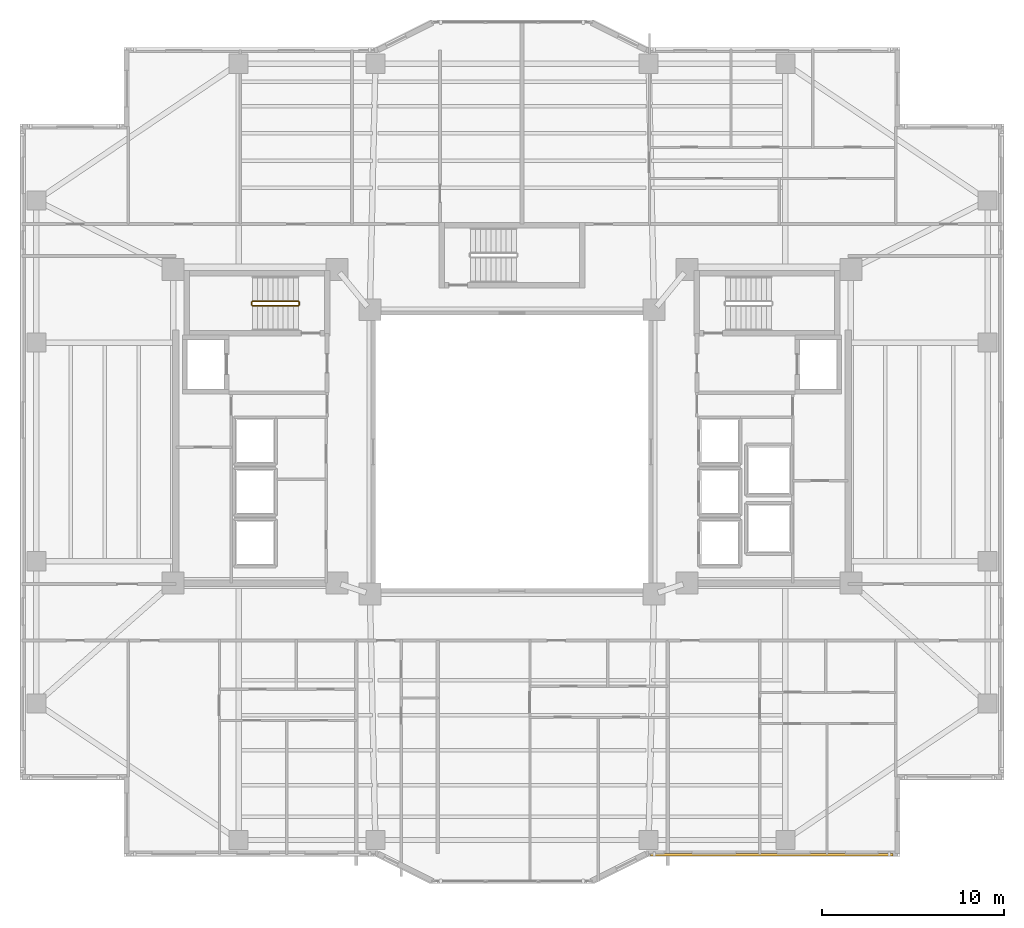
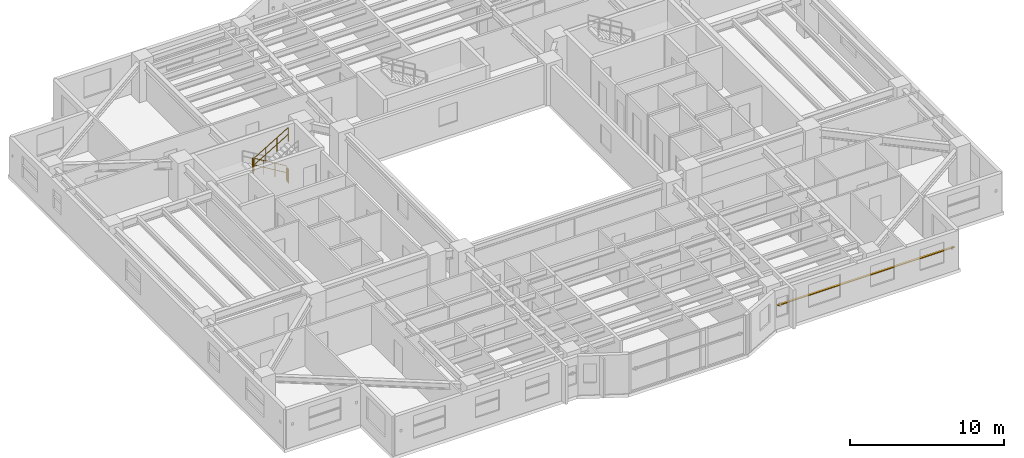
# One storey, part 15 of 18: 4 railings, 1 shading device.
"""IFC4 building model written with IfcOpenShell, lengths in metres."""

import ifcopenshell
import ifcopenshell.guid

model = None  # the IFC model being written
_history = None  # IfcOwnerHistory: only IFC2X3 demands one
_inside = {}  # id of a spatial element -> (the spatial element, [elements in it])
_under = {}  # id of a project, library or spatial element -> (it, [spatial elements below it])
_declared = {}  # id of a project -> (the project, [libraries it declares])
_typed = {}  # id of a type object -> (the type object, [elements of that type])
_made_of = {}  # id of a material, layer set ... -> (it, [elements and type objects made of it])


def new_model(schema):
    """Start an empty IFC model of exactly this schema.

    Asked for "IFC4X3", IfcOpenShell would pick the latest addendum, in which some entities
    have other attributes; the version numbers below select the first issue.
    IFC2X3 requires an IfcOwnerHistory on every rooted entity: one is made here for all.
    """
    global model, _history
    if schema == "IFC4X3":
        model = ifcopenshell.file(schema_version=(4, 3, 0, 0))
    else:
        model = ifcopenshell.file(schema=schema)
    _inside.clear()
    _under.clear()
    _declared.clear()
    _typed.clear()
    _made_of.clear()
    _history = None
    if model.schema == "IFC2X3":
        org = make("IfcOrganization", Name="unknown")
        user = make(
            "IfcPersonAndOrganization",
            ThePerson=make("IfcPerson", FamilyName="unknown"),
            TheOrganization=org,
        )
        app = make(
            "IfcApplication",
            ApplicationDeveloper=org,
            Version="unknown",
            ApplicationFullName="unknown",
            ApplicationIdentifier="unknown",
        )
        _history = make(
            "IfcOwnerHistory",
            OwningUser=user,
            OwningApplication=app,
            ChangeAction="ADDED",
            CreationDate=0,
        )
    return model


def make(cls, **values):
    """One entity of the class cls with the attributes given. An attribute that is None is left unset."""
    return model.create_entity(
        cls, **{name: value for name, value in values.items() if value is not None}
    )


def rooted(cls, **values):
    """An entity with a GlobalId (a new one), such as an element, a storey or a relation."""
    return make(cls, GlobalId=ifcopenshell.guid.new(), OwnerHistory=_history, **values)


def si_unit(unit_type, name, prefix=None):
    """IfcSIUnit, for example si_unit("LENGTHUNIT", "METRE", prefix="MILLI")."""
    return make("IfcSIUnit", UnitType=unit_type, Prefix=prefix, Name=name)


def assignment(units):
    """IfcUnitAssignment: the units of a project."""
    return None if units is None else make("IfcUnitAssignment", Units=units)


def point(xyz):
    """IfcCartesianPoint."""
    return None if xyz is None else make("IfcCartesianPoint", Coordinates=xyz)


def direction(xyz):
    """IfcDirection."""
    return None if xyz is None else make("IfcDirection", DirectionRatios=xyz)


def frame(location, z_axis=None, x_axis=None):
    """IfcAxis2Placement3D, a coordinate frame: its origin and axes. An axis left out is left unset."""
    return make(
        "IfcAxis2Placement3D",
        Location=point(location),
        Axis=direction(z_axis),
        RefDirection=direction(x_axis),
    )


def frame_2d(location, x_axis=None):
    """IfcAxis2Placement2D, a coordinate frame in the plane: its origin and x axis."""
    return make(
        "IfcAxis2Placement2D", Location=point(location), RefDirection=direction(x_axis)
    )


def origin():
    """The frame at (0, 0, 0) with its axes left unset."""
    return frame((0.0, 0.0, 0.0))


def origin_2d():
    """The frame at (0, 0) in the plane with its x axis left unset."""
    return frame_2d((0.0, 0.0))


def place(relative_to, where):
    """IfcLocalPlacement: puts the frame where relative to a parent placement (None: the world)."""
    return make(
        "IfcLocalPlacement", PlacementRelTo=relative_to, RelativePlacement=where
    )


def context(
    kind, dimensions, precision=None, world=None, true_north=None, identifier=None
):
    """IfcGeometricRepresentationContext, for example the 3D "Model" context."""
    return make(
        "IfcGeometricRepresentationContext",
        ContextIdentifier=identifier,
        ContextType=kind,
        CoordinateSpaceDimension=dimensions,
        Precision=precision,
        WorldCoordinateSystem=world,
        TrueNorth=true_north,
    )


def subcontext(parent, identifier, kind, view, scale=None):
    """IfcGeometricRepresentationSubContext, for example "Body" below "Model"."""
    return make(
        "IfcGeometricRepresentationSubContext",
        ContextIdentifier=identifier,
        ContextType=kind,
        ParentContext=parent,
        TargetScale=scale,
        TargetView=view,
    )


def project(units=None, contexts=None):
    """IfcProject with its units and contexts."""
    return rooted(
        "IfcProject",
        Name="project",
        RepresentationContexts=contexts,
        UnitsInContext=assignment(units),
    )


def spatial(cls, under=None, at=None, **own):
    """A site, building, storey or space (cls), placed at a placement, below another one or the project."""
    s = rooted(cls, ObjectPlacement=at, **own)
    if under is not None:
        _under.setdefault(under.id(), (under, []))[1].append(s)
    return s


def profile(cls, at=None, kind="AREA", **sizes):
    """A parametric profile (cls). Its sizes go by their IFC names, for example OverallWidth=200.0."""
    return make(cls, ProfileType=kind, Position=at, **sizes)


def rectangle(**sizes):
    """IfcRectangleProfileDef."""
    return profile("IfcRectangleProfileDef", **sizes)


def circle(**sizes):
    """IfcCircleProfileDef."""
    return profile("IfcCircleProfileDef", **sizes)


def extrude(swept, where, along, depth):
    """IfcExtrudedAreaSolid: the profile swept, set in the frame where, extruded along a direction by depth."""
    return make(
        "IfcExtrudedAreaSolid",
        SweptArea=swept,
        Position=where,
        ExtrudedDirection=direction(along),
        Depth=depth,
    )


def shape(context_of_items, identifier, shape_type, items):
    """IfcShapeRepresentation: the items that make up one representation, for example the "Body"."""
    return make(
        "IfcShapeRepresentation",
        ContextOfItems=context_of_items,
        RepresentationIdentifier=identifier,
        RepresentationType=shape_type,
        Items=items,
    )


def material(Name=None, Category=None):
    """IfcMaterial."""
    return make("IfcMaterial", Name=Name, Category=Category)


def material_profile(
    of_material, cross_section, Name=None, Category=None, Priority=None
):
    """IfcMaterialProfile: a cross section and its material."""
    return make(
        "IfcMaterialProfile",
        Name=Name,
        Material=of_material,
        Profile=cross_section,
        Priority=Priority,
        Category=Category,
    )


def profile_set(profiles, Name=None, composite=None):
    """IfcMaterialProfileSet."""
    return make(
        "IfcMaterialProfileSet",
        Name=Name,
        MaterialProfiles=profiles,
        CompositeProfile=composite,
    )


def made_of(thing, what):
    """Note that an element or type object is made of a material, layer set ...; save() writes the relation."""
    if what is not None:
        _made_of.setdefault(what.id(), (what, []))[1].append(thing)
    return thing


def type_object(cls, material=None, **own):
    """A type object (cls), such as IfcWallType, which elements share."""
    return made_of(rooted(cls, **own), material)


def element(
    cls,
    number,
    at=None,
    inside=None,
    cuts=None,
    type_object=None,
    material=None,
    context=None,
    identifier="Body",
    shape_type=None,
    held_by="IfcProductDefinitionShape",
    body=None,
    shapes=None,
    **own,
):
    """One element of the class cls, such as IfcWall. Its Tag is "e" and its number.

    at: its placement. inside: the storey or other place that contains it. cuts: it is an
    opening in that element (IfcRelVoidsElement). A single representation is given by context,
    identifier, shape_type and body (its items); several are given by shapes. held_by: the class
    of the entity that holds the representations. save() writes the other relations.
    """
    e = rooted(cls, Tag="e%d" % number, ObjectPlacement=at, **own)
    if body is not None:
        shapes = [shape(context, identifier, shape_type, body)]
    if shapes is not None:
        e.Representation = make(held_by, Representations=shapes)
    if inside is not None:
        _inside.setdefault(inside.id(), (inside, []))[1].append(e)
    if cuts is not None:
        rooted(
            "IfcRelVoidsElement", RelatingBuildingElement=cuts, RelatedOpeningElement=e
        )
    if type_object is not None:
        _typed.setdefault(type_object.id(), (type_object, []))[1].append(e)
    return made_of(e, material)


def aggregate(whole, parts):
    """IfcRelAggregates: a whole, such as a stair, and the parts it consists of."""
    return rooted("IfcRelAggregates", RelatingObject=whole, RelatedObjects=parts)


def save(model, path):
    """Write the relations noted so far, then the file.

    IfcRelAggregates (storeys below a building ...), IfcRelContainedInSpatialStructure (elements
    in a storey), IfcRelDefinesByType, IfcRelAssociatesMaterial and IfcRelDeclares: one each for
    every whole, place, type object, material and project.
    """
    for whole, parts in _under.values():
        aggregate(whole, parts)
    for where, things in _inside.values():
        rooted(
            "IfcRelContainedInSpatialStructure",
            RelatedElements=things,
            RelatingStructure=where,
        )
    for kind, things in _typed.values():
        rooted("IfcRelDefinesByType", RelatedObjects=things, RelatingType=kind)
    for what, things in _made_of.values():
        rooted("IfcRelAssociatesMaterial", RelatedObjects=things, RelatingMaterial=what)
    for by, libraries in _declared.values():
        rooted("IfcRelDeclares", RelatingContext=by, RelatedDefinitions=libraries)
    model.write(path)


model = new_model("IFC4")

# Units and contexts
model_context = context("Model", 3, precision=1e-05, world=origin(), true_north=direction((0.0, 1.0)))
body_context = subcontext(model_context, "Body", "Model", "MODEL_VIEW")
ifc_project = project(units=[si_unit("LENGTHUNIT", "METRE"), si_unit("AREAUNIT", "SQUARE_METRE"), si_unit("VOLUMEUNIT", "CUBIC_METRE"), si_unit("PLANEANGLEUNIT", "RADIAN"), si_unit("MASSUNIT", "GRAM", prefix="KILO")], contexts=[model_context])

# Site, building, storey
site_placement = place(None, origin())
site = spatial("IfcSite", under=ifc_project, at=site_placement, CompositionType="ELEMENT")
building_placement = place(site_placement, origin())
building = spatial("IfcBuilding", under=site, at=building_placement, Name="Tarnavaz Court Tower", CompositionType="ELEMENT")
storey_placement = place(building_placement, frame((0.0, 0.0, 85.0)))
storey = spatial("IfcBuildingStorey", under=building, at=storey_placement, Name="L22", CompositionType="ELEMENT", Elevation=85.0)

# Railings
ifc_material_1 = material(Name="Galvanized Painted Tubular Steel", Category="steel")
railing_type = type_object("IfcRailingType", Name="RL-STGUARD-1120", PredefinedType="GUARDRAIL", material=ifc_material_1)
railing_1_placement = place(storey_placement, frame((-11.719970703125, 8.27001953125, 0.16748046875)))
element("IfcRailing", 1, at=railing_1_placement, inside=storey, type_object=railing_type, Name="L22 ST-W1 stair guard 1", PredefinedType="GUARDRAIL", context=body_context, shape_type="SweptSolid", body=[
    extrude(circle(Radius=0.02392578125, at=origin_2d()), frame((0.0, 0.0, 1.09619140625), z_axis=(-0.858159760407, 0.0, 0.513382728203), x_axis=(0.0, -1.0, 0.0)), (0.0, 0.0, 1.0), 2.9365234375),
    extrude(circle(Radius=0.02392578125, at=origin_2d()), frame((0.0, 0.0, 0.56005859375), z_axis=(-0.858159760407, 0.0, 0.513382728203), x_axis=(0.0, -1.0, 0.0)), (0.0, 0.0, 1.0), 2.9365234375),
    extrude(circle(Radius=0.02099609375, at=origin_2d()), origin(), (0.0, 0.0, 1.0), 1.072021484375),
    extrude(circle(Radius=0.02099609375, at=origin_2d()), frame((-0.840087890625, 0.0, 0.50244140625)), (0.0, 0.0, 1.0), 1.072021484375),
    extrude(circle(Radius=0.02099609375, at=origin_2d()), frame((-1.679931640625, 0.0, 1.005126953125)), (0.0, 0.0, 1.0), 1.072021484375),
    extrude(circle(Radius=0.02099609375, at=origin_2d()), frame((-2.52001953125, 0.0, 1.507568359375)), (0.0, 0.0, 1.0), 1.072021484375),
])
railing_2_placement = place(storey_placement, frame((-14.2900390625, 8.219970703125, 1.675048828125)))
element("IfcRailing", 2, at=railing_2_placement, inside=storey, type_object=railing_type, Name="L22 ST-W1 stair guard 2", PredefinedType="GUARDRAIL", context=body_context, shape_type="SweptSolid", body=[
    extrude(circle(Radius=0.02392578125, at=origin_2d()), frame((0.0, 0.0, 1.09619140625), z_axis=(0.0, -1.0, 0.0), x_axis=(1.0, 0.0, 0.0)), (0.0, 0.0, 1.0), 0.14990234375),
    extrude(circle(Radius=0.02392578125, at=origin_2d()), frame((0.0, 0.0, 0.56005859375), z_axis=(0.0, -1.0, 0.0), x_axis=(1.0, 0.0, 0.0)), (0.0, 0.0, 1.0), 0.14990234375),
    extrude(circle(Radius=0.02099609375, at=origin_2d()), origin(), (0.0, 0.0, 1.0), 1.072021484375),
    extrude(circle(Radius=0.02099609375, at=origin_2d()), frame((0.0, -0.14990234375, 0.0)), (0.0, 0.0, 1.0), 1.072021484375),
])
railing_3_placement = place(storey_placement, frame((-14.239990234375, 8.02001953125, 1.842529296875)))
element("IfcRailing", 3, at=railing_3_placement, inside=storey, type_object=railing_type, Name="L22 ST-W1 stair guard 3", PredefinedType="GUARDRAIL", context=body_context, shape_type="SweptSolid", body=[
    extrude(circle(Radius=0.02392578125, at=origin_2d()), frame((0.0, 0.0, 1.09619140625), z_axis=(0.858159760407, 0.0, 0.513382728203), x_axis=(0.0, 1.0, 0.0)), (0.0, 0.0, 1.0), 2.9365234375),
    extrude(circle(Radius=0.02392578125, at=origin_2d()), frame((0.0, 0.0, 0.56005859375), z_axis=(0.858159760407, 0.0, 0.513382728203), x_axis=(0.0, 1.0, 0.0)), (0.0, 0.0, 1.0), 2.9365234375),
    extrude(circle(Radius=0.02099609375, at=origin_2d()), origin(), (0.0, 0.0, 1.0), 1.072021484375),
    extrude(circle(Radius=0.02099609375, at=origin_2d()), frame((0.840087890625, 0.0, 0.50244140625)), (0.0, 0.0, 1.0), 1.072021484375),
    extrude(circle(Radius=0.02099609375, at=origin_2d()), frame((1.679931640625, 0.0, 1.005126953125)), (0.0, 0.0, 1.0), 1.072021484375),
    extrude(circle(Radius=0.02099609375, at=origin_2d()), frame((2.52001953125, 0.0, 1.507568359375)), (0.0, 0.0, 1.0), 1.072021484375),
])
railing_4_placement = place(storey_placement, frame((-11.669921875, 8.219970703125, 0.0)))
element("IfcRailing", 4, at=railing_4_placement, inside=storey, type_object=railing_type, Name="L22 ST-W1 stair guard 4", PredefinedType="GUARDRAIL", context=body_context, shape_type="SweptSolid", body=[
    extrude(circle(Radius=0.02392578125, at=origin_2d()), frame((0.0, 0.0, 1.09619140625), z_axis=(0.0, -1.0, 0.0), x_axis=(1.0, 0.0, 0.0)), (0.0, 0.0, 1.0), 0.14990234375),
    extrude(circle(Radius=0.02392578125, at=origin_2d()), frame((0.0, 0.0, 0.56005859375), z_axis=(0.0, -1.0, 0.0), x_axis=(1.0, 0.0, 0.0)), (0.0, 0.0, 1.0), 0.14990234375),
    extrude(circle(Radius=0.02099609375, at=origin_2d()), origin(), (0.0, 0.0, 1.0), 1.072021484375),
    extrude(circle(Radius=0.02099609375, at=origin_2d()), frame((0.0, -0.14990234375, 0.0)), (0.0, 0.0, 1.0), 1.072021484375),
])

# Shading device
ifc_material_2 = material(Name="Kiln-Fired Khorasan Terracotta Ceramic", Category="masonry")
ifc_material_profile = material_profile(ifc_material_2, rectangle(XDim=0.14990234375, YDim=0.06494140625, at=origin_2d()), Name="TC BAGUETTE 150X65")
ifc_profile_set = profile_set([ifc_material_profile], Name="Kiln-Fired Khorasan Terracotta Ceramic")
shading_device_type = type_object("IfcShadingDeviceType", Name="SD-BAG-150", PredefinedType="USERDEFINED", material=ifc_profile_set)
shading_device_placement = place(storey_placement, frame((20.89990234375, -22.110107421875, 1.85009765625), z_axis=(-1.0, 0.0, 0.0), x_axis=(0.0, -1.0, 0.0)))
element("IfcShadingDevice", 5, at=shading_device_placement, inside=storey, type_object=shading_device_type, Name="L22 Terracotta Baguette Screen FBG15", ObjectType="BAGUETTE", PredefinedType="USERDEFINED", context=body_context, shape_type="SweptSolid", body=[
    extrude(rectangle(XDim=0.14990234375, YDim=0.06494140625, at=origin_2d()), origin(), (0.0, 0.0, 1.0), 13.2998046875),
])

save(model, "model.ifc")
